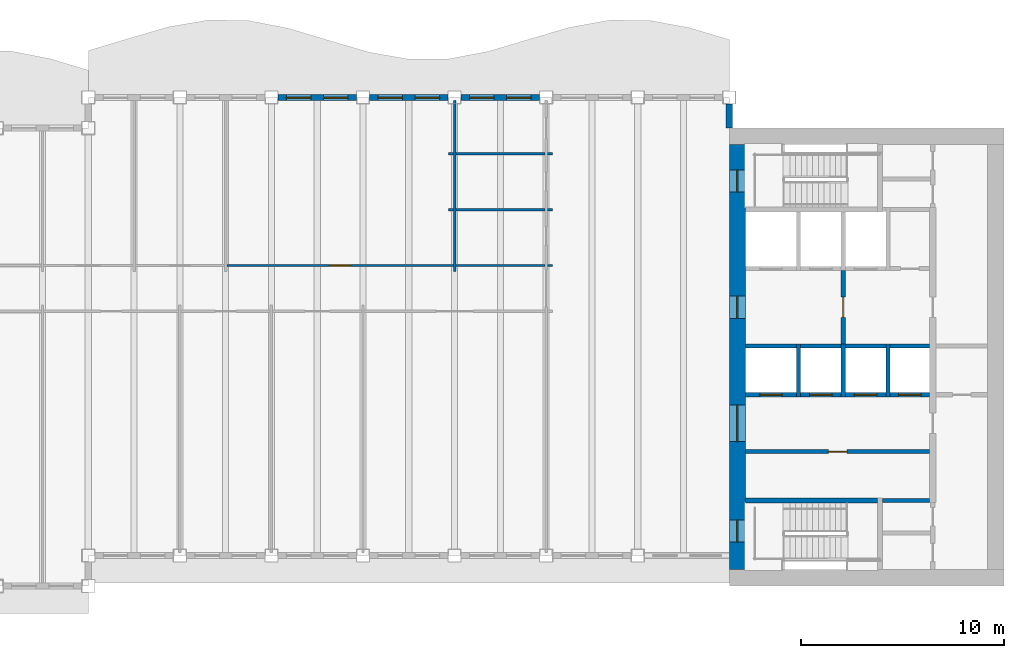
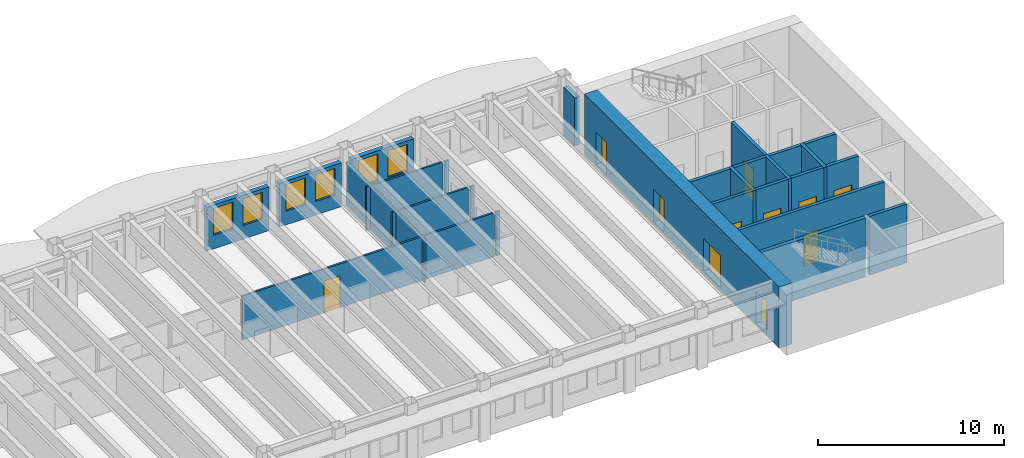
# One storey, part 5 of 12: 30 walls, 11 doors, 6 windows, 17 openings.
"""IFC4 building model written with IfcOpenShell, lengths in metres."""

from ifc_helpers import new_model, si_unit, direction, frame, frame_2d, origin, place, context, subcontext, project, spatial, rectangle, extrude, material, layer, layer_set, type_object, element, fill, save


model = new_model("IFC4")

# Units and contexts
model_context = context("Model", 3, precision=1e-05, world=origin(), true_north=direction((0.0, 1.0)))
body_context = subcontext(model_context, "Body", "Model", "MODEL_VIEW")
ifc_project = project(units=[si_unit("LENGTHUNIT", "METRE"), si_unit("AREAUNIT", "SQUARE_METRE"), si_unit("VOLUMEUNIT", "CUBIC_METRE"), si_unit("PLANEANGLEUNIT", "RADIAN"), si_unit("MASSUNIT", "GRAM", prefix="KILO")], contexts=[model_context])

# Site, building, storey
site_placement = place(None, origin())
site = spatial("IfcSite", under=ifc_project, at=site_placement, CompositionType="ELEMENT")
building_placement = place(site_placement, origin())
building = spatial("IfcBuilding", under=site, at=building_placement, Name="Sennacour Bend Tower", CompositionType="ELEMENT")
storey_placement = place(building_placement, frame((0.0, 0.0, 281.0)))
storey = spatial("IfcBuildingStorey", under=building, at=storey_placement, Name="L65", CompositionType="ELEMENT", Elevation=281.0)

# Wall, openings, doors
ifc_material_1 = material(Name="Concrete C50/60", Category="concrete")
ifc_layer_1 = layer(ifc_material_1, 0.800048828125, Name="Concrete C50/60", Category="concrete")
ifc_layer_set_1 = layer_set([ifc_layer_1], Name="Concrete C50/60")
wall_type_1 = type_object("IfcWallType", Name="Core wall 800 C50/60", PredefinedType="SHEAR", material=ifc_layer_set_1)
wall_1_placement = place(storey_placement, frame((54.39990234375, 0.800048828125, -0.14990234375), z_axis=(0.0, 0.0, 1.0), x_axis=(0.0, 1.0, 0.0)))
wall_1 = element("IfcWall", 1, at=wall_1_placement, inside=storey, type_object=wall_type_1, Name="Core A wall L65 W", PredefinedType="SHEAR", context=body_context, shape_type="SweptSolid", body=[
    extrude(rectangle(XDim=20.89990234375, YDim=0.800048828125, at=frame_2d((10.449951171875, 0.0))), origin(), (0.0, 0.0, 1.0), 4.0),
])
opening_1_placement = place(wall_1_placement, frame((6.300048828125, 0.0, 0.14990234375)))
opening_1 = element("IfcOpeningElement", 2, at=opening_1_placement, cuts=wall_1, Name="Opening CD", PredefinedType="OPENING", context=body_context, shape_type="SweptSolid", body=[
    extrude(rectangle(XDim=1.800048828125, YDim=2.10009765625, at=frame_2d((0.89990234375, 1.050048828125))), frame((0.0, 0.41015625, 0.0), z_axis=(0.0, -1.0, 0.0), x_axis=(1.0, 0.0, 0.0)), (0.0, 0.0, 1.0), 0.820068359375),
])
opening_2_placement = place(wall_1_placement, frame((12.35009765625, 0.0, 0.14990234375)))
opening_2 = element("IfcOpeningElement", 3, at=opening_2_placement, cuts=wall_1, Name="Opening FD", PredefinedType="OPENING", context=body_context, shape_type="SweptSolid", body=[
    extrude(rectangle(XDim=1.10009765625, YDim=2.10009765625, at=frame_2d((0.550048828125, 1.050048828125))), frame((0.0, 0.41015625, 0.0), z_axis=(0.0, -1.0, 0.0), x_axis=(1.0, 0.0, 0.0)), (0.0, 0.0, 1.0), 0.820068359375),
])
opening_3_placement = place(wall_1_placement, frame((1.35009765625, 0.0, 0.14990234375)))
opening_3 = element("IfcOpeningElement", 4, at=opening_3_placement, cuts=wall_1, Name="Opening SD", PredefinedType="OPENING", context=body_context, shape_type="SweptSolid", body=[
    extrude(rectangle(XDim=1.10009765625, YDim=2.10009765625, at=frame_2d((0.550048828125, 1.050048828125))), frame((0.0, 0.41015625, 0.0), z_axis=(0.0, -1.0, 0.0), x_axis=(1.0, 0.0, 0.0)), (0.0, 0.0, 1.0), 0.820068359375),
])
opening_4_placement = place(wall_1_placement, frame((18.550048828125, 0.0, 0.14990234375)))
opening_4 = element("IfcOpeningElement", 5, at=opening_4_placement, cuts=wall_1, Name="Opening SD", PredefinedType="OPENING", context=body_context, shape_type="SweptSolid", body=[
    extrude(rectangle(XDim=1.10009765625, YDim=2.10009765625, at=frame_2d((0.550048828125, 1.050048828125))), frame((0.0, 0.41015625, 0.0), z_axis=(0.0, -1.0, 0.0), x_axis=(1.0, 0.0, 0.0)), (0.0, 0.0, 1.0), 0.820068359375),
])
ifc_material_2 = material(Name="Painted steel", Category="steel")
door_type_1 = type_object("IfcDoorType", Name="DR-FFL-1100", OperationType="NOTDEFINED", PredefinedType="DOOR", material=ifc_material_2)
door_1_placement = place(opening_2_placement, origin())
door_1 = element("IfcDoor", 6, at=door_1_placement, inside=storey, type_object=door_type_1, Name="Door", OperationType="SINGLE_SWING_RIGHT", OverallHeight=2.10009765625, OverallWidth=1.10009765625, PredefinedType="DOOR", context=body_context, shape_type="SweptSolid", body=[
    extrude(rectangle(XDim=1.10009765625, YDim=2.10009765625, at=frame_2d((0.550048828125, 1.050048828125))), frame((0.0, 0.02490234375, 0.0), z_axis=(0.0, -1.0, 0.0), x_axis=(1.0, 0.0, 0.0)), (0.0, 0.0, 1.0), 0.050048828125),
])
fill(opening_2, door_1)
door_type_2 = type_object("IfcDoorType", Name="DR-LOBBY-1800", OperationType="NOTDEFINED", PredefinedType="DOOR", material=ifc_material_2)
door_2_placement = place(opening_1_placement, origin())
door_2 = element("IfcDoor", 7, at=door_2_placement, inside=storey, type_object=door_type_2, Name="Door", OperationType="DOUBLE_DOOR_SINGLE_SWING", OverallHeight=2.10009765625, OverallWidth=1.800048828125, PredefinedType="DOOR", context=body_context, shape_type="SweptSolid", body=[
    extrude(rectangle(XDim=1.800048828125, YDim=2.10009765625, at=frame_2d((0.89990234375, 1.050048828125))), frame((0.0, 0.02490234375, 0.0), z_axis=(0.0, -1.0, 0.0), x_axis=(1.0, 0.0, 0.0)), (0.0, 0.0, 1.0), 0.050048828125),
])
fill(opening_1, door_2)
door_type_3 = type_object("IfcDoorType", Name="DR-STAIR-1100", OperationType="NOTDEFINED", PredefinedType="DOOR", material=ifc_material_2)
door_3_placement = place(opening_3_placement, origin())
door_3 = element("IfcDoor", 8, at=door_3_placement, inside=storey, type_object=door_type_3, Name="Door", OperationType="SINGLE_SWING_LEFT", OverallHeight=2.10009765625, OverallWidth=1.10009765625, PredefinedType="DOOR", context=body_context, shape_type="SweptSolid", body=[
    extrude(rectangle(XDim=1.10009765625, YDim=2.10009765625, at=frame_2d((0.550048828125, 1.050048828125))), frame((0.0, 0.02490234375, 0.0), z_axis=(0.0, -1.0, 0.0), x_axis=(1.0, 0.0, 0.0)), (0.0, 0.0, 1.0), 0.050048828125),
])
fill(opening_3, door_3)
door_4_placement = place(opening_4_placement, origin())
door_4 = element("IfcDoor", 9, at=door_4_placement, inside=storey, type_object=door_type_3, Name="Door", OperationType="SINGLE_SWING_RIGHT", OverallHeight=2.10009765625, OverallWidth=1.10009765625, PredefinedType="DOOR", context=body_context, shape_type="SweptSolid", body=[
    extrude(rectangle(XDim=1.10009765625, YDim=2.10009765625, at=frame_2d((0.550048828125, 1.050048828125))), frame((0.0, 0.02490234375, 0.0), z_axis=(0.0, -1.0, 0.0), x_axis=(1.0, 0.0, 0.0)), (0.0, 0.0, 1.0), 0.050048828125),
])
fill(opening_4, door_4)

# Wall
ifc_material_3 = material(Name="Plasterboard partition on steel studs", Category="steel")
ifc_layer_2 = layer(ifc_material_3, 0.1201171875, Name="Plasterboard partition on steel studs", Category="steel")
ifc_layer_set_2 = layer_set([ifc_layer_2], Name="Plasterboard partition on steel studs")
wall_type_2 = type_object("IfcWallType", Name="Partition 120", PredefinedType="PARTITIONING", material=ifc_layer_set_2)
wall_2_placement = place(storey_placement, frame((40.5, 15.449951171875, 0.0), z_axis=(0.0, 0.0, 1.0), x_axis=(0.0, 1.0, 0.0)))
element("IfcWall", 10, at=wall_2_placement, inside=storey, type_object=wall_type_2, Name="P-L65-W014a", PredefinedType="PARTITIONING", context=body_context, shape_type="SweptSolid", body=[
    extrude(rectangle(XDim=8.400146484375, YDim=0.1201171875, at=frame_2d((4.2001953125, 0.0))), origin(), (0.0, 0.0, 1.0), 2.8701171875),
])

# Wall, opening, door
wall_3_placement = place(storey_placement, frame((29.31005859375, 15.75, 0.0), z_axis=(0.0, 0.0, 1.0), x_axis=(1.0, 0.0, 0.0)))
wall_3 = element("IfcWall", 11, at=wall_3_placement, inside=storey, type_object=wall_type_2, Name="P-L65-W046af", PredefinedType="PARTITIONING", context=body_context, shape_type="SweptSolid", body=[
    extrude(rectangle(XDim=11.1298828125, YDim=0.1201171875, at=frame_2d((5.56494140625, 0.0))), origin(), (0.0, 0.0, 1.0), 2.8701171875),
])
opening_5_placement = place(wall_3_placement, frame((5.06494140625, 0.0, 0.0)))
opening_5 = element("IfcOpeningElement", 12, at=opening_5_placement, cuts=wall_3, Name="Opening OD2", PredefinedType="OPENING", context=body_context, shape_type="SweptSolid", body=[
    extrude(rectangle(XDim=1.0, YDim=2.10009765625, at=frame_2d((0.5, 1.050048828125))), frame((0.0, 0.070068359375, 0.0), z_axis=(0.0, -1.0, 0.0), x_axis=(1.0, 0.0, 0.0)), (0.0, 0.0, 1.0), 0.14013671875),
])
ifc_material_4 = material(Name="Timber", Category="wood")
door_type_4 = type_object("IfcDoorType", Name="DR-OFFICE-1000", OperationType="NOTDEFINED", PredefinedType="DOOR", material=ifc_material_4)
door_5_placement = place(opening_5_placement, origin())
door_5 = element("IfcDoor", 13, at=door_5_placement, inside=storey, type_object=door_type_4, Name="Door", OperationType="SINGLE_SWING_LEFT", OverallHeight=2.10009765625, OverallWidth=1.0, PredefinedType="DOOR", context=body_context, shape_type="SweptSolid", body=[
    extrude(rectangle(XDim=1.0, YDim=2.10009765625, at=frame_2d((0.5, 1.050048828125))), frame((0.0, 0.02490234375, 0.0), z_axis=(0.0, -1.0, 0.0), x_axis=(1.0, 0.0, 0.0)), (0.0, 0.0, 1.0), 0.050048828125),
])
fill(opening_5, door_5)

# Walls
wall_4_placement = place(storey_placement, frame((40.56005859375, 15.75, 0.0), z_axis=(0.0, 0.0, 1.0), x_axis=(1.0, 0.0, 0.0)))
element("IfcWall", 14, at=wall_4_placement, inside=storey, type_object=wall_type_2, Name="P-L65-W046ag", PredefinedType="PARTITIONING", context=body_context, shape_type="SweptSolid", body=[
    extrude(rectangle(XDim=4.3798828125, YDim=0.1201171875, at=frame_2d((2.18994140625, 0.0))), origin(), (0.0, 0.0, 1.0), 2.8701171875),
])
for number, where, z_axis, x_axis, name in (
    (15, (45.06005859375, 15.75, 0.0), (0.0, 0.0, 1.0), (1.0, 0.0, 0.0), "P-L65-W046ah"),
    (16, (40.199951171875, 18.5, 0.0), (0.0, 0.0, 1.0), (1.0, 0.0, 0.0), "P-L65-W047aa"),
):
    element("IfcWall", number, at=place(storey_placement, frame(where, z_axis=z_axis, x_axis=x_axis)), inside=storey, type_object=wall_type_2, Name=name, PredefinedType="PARTITIONING", context=body_context, shape_type="SweptSolid", body=[
        extrude(rectangle(XDim=0.239990234375, YDim=0.1201171875, at=frame_2d((0.1201171875, 0.0))), origin(), (0.0, 0.0, 1.0), 2.8701171875),
    ])
wall_5_placement = place(storey_placement, frame((40.56005859375, 18.5, 0.0), z_axis=(0.0, 0.0, 1.0), x_axis=(1.0, 0.0, 0.0)))
element("IfcWall", 17, at=wall_5_placement, inside=storey, type_object=wall_type_2, Name="P-L65-W047ab", PredefinedType="PARTITIONING", context=body_context, shape_type="SweptSolid", body=[
    extrude(rectangle(XDim=4.3798828125, YDim=0.1201171875, at=frame_2d((2.18994140625, 0.0))), origin(), (0.0, 0.0, 1.0), 2.8701171875),
])
for number, where, z_axis, x_axis, name in (
    (18, (45.06005859375, 18.5, 0.0), (0.0, 0.0, 1.0), (1.0, 0.0, 0.0), "P-L65-W047ac"),
    (19, (40.199951171875, 21.25, 0.0), (0.0, 0.0, 1.0), (1.0, 0.0, 0.0), "P-L65-W052aa"),
):
    element("IfcWall", number, at=place(storey_placement, frame(where, z_axis=z_axis, x_axis=x_axis)), inside=storey, type_object=wall_type_2, Name=name, PredefinedType="PARTITIONING", context=body_context, shape_type="SweptSolid", body=[
        extrude(rectangle(XDim=0.239990234375, YDim=0.1201171875, at=frame_2d((0.1201171875, 0.0))), origin(), (0.0, 0.0, 1.0), 2.8701171875),
    ])
wall_6_placement = place(storey_placement, frame((40.56005859375, 21.25, 0.0), z_axis=(0.0, 0.0, 1.0), x_axis=(1.0, 0.0, 0.0)))
element("IfcWall", 20, at=wall_6_placement, inside=storey, type_object=wall_type_2, Name="P-L65-W052ab", PredefinedType="PARTITIONING", context=body_context, shape_type="SweptSolid", body=[
    extrude(rectangle(XDim=4.3798828125, YDim=0.1201171875, at=frame_2d((2.18994140625, 0.0))), origin(), (0.0, 0.0, 1.0), 2.8701171875),
])
wall_7_placement = place(storey_placement, frame((45.06005859375, 21.25, 0.0), z_axis=(0.0, 0.0, 1.0), x_axis=(1.0, 0.0, 0.0)))
element("IfcWall", 21, at=wall_7_placement, inside=storey, type_object=wall_type_2, Name="P-L65-W052ac", PredefinedType="PARTITIONING", context=body_context, shape_type="SweptSolid", body=[
    extrude(rectangle(XDim=0.239990234375, YDim=0.1201171875, at=frame_2d((0.1201171875, 0.0))), origin(), (0.0, 0.0, 1.0), 2.8701171875),
])
ifc_material_5 = material(Name="Fire-rated plasterboard partition on steel studs", Category="steel")
ifc_layer_3 = layer(ifc_material_5, 0.199951171875, Name="Fire-rated plasterboard partition on steel studs", Category="steel")
ifc_layer_set_3 = layer_set([ifc_layer_3], Name="Fire-rated plasterboard partition on steel studs")
wall_type_3 = type_object("IfcWallType", Name="Rated partition 200", PredefinedType="PARTITIONING", material=ifc_layer_set_3)
wall_8_placement = place(storey_placement, frame((61.52490234375, 4.199951171875, 0.0), z_axis=(0.0, 0.0, 1.0), x_axis=(1.0, 0.0, 0.0)))
element("IfcWall", 22, at=wall_8_placement, inside=storey, type_object=wall_type_3, Name="P-L65-W037", PredefinedType="PARTITIONING", context=body_context, shape_type="SweptSolid", body=[
    extrude(rectangle(XDim=2.3251953125, YDim=0.199951171875, at=frame_2d((1.16259765625, 0.0))), origin(), (0.0, 0.0, 1.0), 3.85009765625),
])

# Wall, opening, door
wall_9_placement = place(storey_placement, frame((54.800048828125, 6.60009765625, 0.0), z_axis=(0.0, 0.0, 1.0), x_axis=(1.0, 0.0, 0.0)))
wall_9 = element("IfcWall", 23, at=wall_9_placement, inside=storey, type_object=wall_type_3, Name="P-L65-W038", PredefinedType="PARTITIONING", context=body_context, shape_type="SweptSolid", body=[
    extrude(rectangle(XDim=9.050048828125, YDim=0.199951171875, at=frame_2d((4.52490234375, 0.0))), origin(), (0.0, 0.0, 1.0), 3.85009765625),
])
opening_6_placement = place(wall_9_placement, frame((4.074951171875, 0.0, 0.0)))
opening_6 = element("IfcOpeningElement", 24, at=opening_6_placement, cuts=wall_9, Name="Opening SV", PredefinedType="OPENING", context=body_context, shape_type="SweptSolid", body=[
    extrude(rectangle(XDim=0.89990234375, YDim=2.10009765625, at=frame_2d((0.449951171875, 1.050048828125))), frame((0.0, 0.10986328125, 0.0), z_axis=(0.0, -1.0, 0.0), x_axis=(1.0, 0.0, 0.0)), (0.0, 0.0, 1.0), 0.219970703125),
])
door_type_5 = type_object("IfcDoorType", Name="DR-SERVICE-900", OperationType="NOTDEFINED", PredefinedType="DOOR", material=ifc_material_2)
door_6_placement = place(opening_6_placement, origin())
door_6 = element("IfcDoor", 25, at=door_6_placement, inside=storey, type_object=door_type_5, Name="Door", OperationType="SINGLE_SWING_LEFT", OverallHeight=2.10009765625, OverallWidth=0.89990234375, PredefinedType="DOOR", context=body_context, shape_type="SweptSolid", body=[
    extrude(rectangle(XDim=0.89990234375, YDim=2.10009765625, at=frame_2d((0.449951171875, 1.050048828125))), frame((0.0, 0.02490234375, 0.0), z_axis=(0.0, -1.0, 0.0), x_axis=(1.0, 0.0, 0.0)), (0.0, 0.0, 1.0), 0.050048828125),
])
fill(opening_6, door_6)

ifc_layer_4 = layer(ifc_material_5, 0.199951171875, Name="Fire-rated plasterboard partition on steel studs", Category="steel")
ifc_layer_set_4 = layer_set([ifc_layer_4], Name="Fire-rated plasterboard partition on steel studs")
wall_type_4 = type_object("IfcWallType", Name="Rated partition 200 EI 90", PredefinedType="PARTITIONING", material=ifc_layer_set_4)
wall_10_placement = place(storey_placement, frame((59.60009765625, 11.89990234375, 0.0), z_axis=(0.0, 0.0, 1.0), x_axis=(0.0, 1.0, 0.0)))
wall_10 = element("IfcWall", 26, at=wall_10_placement, inside=storey, type_object=wall_type_4, Name="P-L65-W020", PredefinedType="PARTITIONING", context=body_context, shape_type="SweptSolid", body=[
    extrude(rectangle(XDim=3.60009765625, YDim=0.199951171875, at=frame_2d((1.800048828125, 0.0))), origin(), (0.0, 0.0, 1.0), 3.85009765625),
])
opening_7_placement = place(wall_10_placement, frame((1.300048828125, 0.0, 0.0)))
opening_7 = element("IfcOpeningElement", 27, at=opening_7_placement, cuts=wall_10, Name="Opening FD2", PredefinedType="OPENING", context=body_context, shape_type="SweptSolid", body=[
    extrude(rectangle(XDim=1.0, YDim=2.10009765625, at=frame_2d((0.5, 1.050048828125))), frame((0.0, 0.10986328125, 0.0), z_axis=(0.0, -1.0, 0.0), x_axis=(1.0, 0.0, 0.0)), (0.0, 0.0, 1.0), 0.219970703125),
])
door_type_6 = type_object("IfcDoorType", Name="DR-FFL-1000", OperationType="NOTDEFINED", PredefinedType="DOOR", material=ifc_material_2)
door_7_placement = place(opening_7_placement, origin())
door_7 = element("IfcDoor", 28, at=door_7_placement, inside=storey, type_object=door_type_6, Name="Door", OperationType="SINGLE_SWING_LEFT", OverallHeight=2.10009765625, OverallWidth=1.0, PredefinedType="DOOR", context=body_context, shape_type="SweptSolid", body=[
    extrude(rectangle(XDim=1.0, YDim=2.10009765625, at=frame_2d((0.5, 1.050048828125))), frame((0.0, 0.02490234375, 0.0), z_axis=(0.0, -1.0, 0.0), x_axis=(1.0, 0.0, 0.0)), (0.0, 0.0, 1.0), 0.050048828125),
])
fill(opening_7, door_7)

# Wall
ifc_material_6 = material(Name="Warm limestone cladding", Category="masonry")
ifc_layer_5 = layer(ifc_material_6, 0.050048828125, Name="Warm limestone cladding", Category="masonry")
ifc_material_7 = material(Name="Precast concrete C40/50", Category="concrete")
ifc_layer_6 = layer(ifc_material_7, 0.25, Name="Precast concrete C40/50", Category="concrete")
ifc_layer_set_5 = layer_set([ifc_layer_5, ifc_layer_6], Name="Precast concrete C40/50 with limestone cladding")
wall_type_5 = type_object("IfcWallType", Name="STONE-CLAD PRECAST SPANDREL 300", PredefinedType="STANDARD", material=ifc_layer_set_5)
wall_11_placement = place(storey_placement, frame((54.0, 22.5, 0.0), z_axis=(0.0, 0.0, 1.0), x_axis=(0.0, 1.0, 0.0)))
element("IfcWall", 29, at=wall_11_placement, inside=storey, type_object=wall_type_5, Name="Stone spandrel and pier wall L65 06.00", PredefinedType="STANDARD", context=body_context, shape_type="SweptSolid", body=[
    extrude(rectangle(XDim=1.175048828125, YDim=0.300048828125, at=frame_2d((0.58740234375, 0.0))), origin(), (0.0, 0.0, 1.0), 3.162109375),
])

# Wall, openings, windows
wall_12_placement = place(storey_placement, frame((44.675048828125, 24.0, 0.0), z_axis=(0.0, 0.0, 1.0), x_axis=(-1.0, 0.0, 0.0)))
wall_12 = element("IfcWall", 30, at=wall_12_placement, inside=storey, type_object=wall_type_5, Name="Stone spandrel and pier wall L65 07.02", PredefinedType="STANDARD", context=body_context, shape_type="SweptSolid", body=[
    extrude(rectangle(XDim=3.85009765625, YDim=0.300048828125, at=frame_2d((1.925048828125, 0.0))), origin(), (0.0, 0.0, 1.0), 2.8701171875),
])
opening_8_placement = place(wall_12_placement, frame((0.41259765625, 0.0, 0.89990234375)))
opening_8 = element("IfcOpeningElement", 31, at=opening_8_placement, cuts=wall_12, Name="Opening W16", PredefinedType="OPENING", context=body_context, shape_type="SweptSolid", body=[
    extrude(rectangle(XDim=1.199951171875, YDim=1.75, at=frame_2d((0.60009765625, 0.875))), frame((0.0, 0.16015625, 0.0), z_axis=(0.0, -1.0, 0.0), x_axis=(1.0, 0.0, 0.0)), (0.0, 0.0, 1.0), 0.320068359375),
])
opening_9_placement = place(wall_12_placement, frame((2.237548828125, 0.0, 0.89990234375)))
opening_9 = element("IfcOpeningElement", 32, at=opening_9_placement, cuts=wall_12, Name="Opening W16", PredefinedType="OPENING", context=body_context, shape_type="SweptSolid", body=[
    extrude(rectangle(XDim=1.199951171875, YDim=1.75, at=frame_2d((0.60009765625, 0.875))), frame((0.0, 0.16015625, 0.0), z_axis=(0.0, -1.0, 0.0), x_axis=(1.0, 0.0, 0.0)), (0.0, 0.0, 1.0), 0.320068359375),
])
ifc_material_8 = material(Name="Clear low-emissivity glass", Category="glass")
window_type = type_object("IfcWindowType", Name="WIN-RIBBON-1200x1750", PartitioningType="SINGLE_PANEL", PredefinedType="WINDOW", material=ifc_material_8)
window_1_placement = place(opening_8_placement, origin())
window_1 = element("IfcWindow", 33, at=window_1_placement, inside=storey, type_object=window_type, Name="Ribbon window L65 07.02.0", OverallHeight=1.75, OverallWidth=1.199951171875, PartitioningType="SINGLE_PANEL", PredefinedType="WINDOW", context=body_context, shape_type="SweptSolid", body=[
    extrude(rectangle(XDim=1.199951171875, YDim=1.75, at=frame_2d((0.60009765625, 0.875))), frame((0.0, 0.030029296875, 0.0), z_axis=(0.0, -1.0, 0.0), x_axis=(1.0, 0.0, 0.0)), (0.0, 0.0, 1.0), 0.06005859375),
])
fill(opening_8, window_1)
window_2_placement = place(opening_9_placement, origin())
window_2 = element("IfcWindow", 34, at=window_2_placement, inside=storey, type_object=window_type, Name="Ribbon window L65 07.02.1", OverallHeight=1.75, OverallWidth=1.199951171875, PartitioningType="SINGLE_PANEL", PredefinedType="WINDOW", context=body_context, shape_type="SweptSolid", body=[
    extrude(rectangle(XDim=1.199951171875, YDim=1.75, at=frame_2d((0.60009765625, 0.875))), frame((0.0, 0.030029296875, 0.0), z_axis=(0.0, -1.0, 0.0), x_axis=(1.0, 0.0, 0.0)), (0.0, 0.0, 1.0), 0.06005859375),
])
fill(opening_9, window_2)

wall_13_placement = place(storey_placement, frame((40.175048828125, 24.0, 0.0), z_axis=(0.0, 0.0, 1.0), x_axis=(-1.0, 0.0, 0.0)))
wall_13 = element("IfcWall", 35, at=wall_13_placement, inside=storey, type_object=wall_type_5, Name="Stone spandrel and pier wall L65 07.03", PredefinedType="STANDARD", context=body_context, shape_type="SweptSolid", body=[
    extrude(rectangle(XDim=3.85009765625, YDim=0.300048828125, at=frame_2d((1.925048828125, 0.0))), origin(), (0.0, 0.0, 1.0), 2.8701171875),
])
opening_10_placement = place(wall_13_placement, frame((0.41259765625, 0.0, 0.89990234375)))
opening_10 = element("IfcOpeningElement", 36, at=opening_10_placement, cuts=wall_13, Name="Opening W16", PredefinedType="OPENING", context=body_context, shape_type="SweptSolid", body=[
    extrude(rectangle(XDim=1.199951171875, YDim=1.75, at=frame_2d((0.60009765625, 0.875))), frame((0.0, 0.16015625, 0.0), z_axis=(0.0, -1.0, 0.0), x_axis=(1.0, 0.0, 0.0)), (0.0, 0.0, 1.0), 0.320068359375),
])
opening_11_placement = place(wall_13_placement, frame((2.237548828125, 0.0, 0.89990234375)))
opening_11 = element("IfcOpeningElement", 37, at=opening_11_placement, cuts=wall_13, Name="Opening W16", PredefinedType="OPENING", context=body_context, shape_type="SweptSolid", body=[
    extrude(rectangle(XDim=1.199951171875, YDim=1.75, at=frame_2d((0.60009765625, 0.875))), frame((0.0, 0.16015625, 0.0), z_axis=(0.0, -1.0, 0.0), x_axis=(1.0, 0.0, 0.0)), (0.0, 0.0, 1.0), 0.320068359375),
])
window_3_placement = place(opening_10_placement, origin())
window_3 = element("IfcWindow", 38, at=window_3_placement, inside=storey, type_object=window_type, Name="Ribbon window L65 07.03.0", OverallHeight=1.75, OverallWidth=1.199951171875, PartitioningType="SINGLE_PANEL", PredefinedType="WINDOW", context=body_context, shape_type="SweptSolid", body=[
    extrude(rectangle(XDim=1.199951171875, YDim=1.75, at=frame_2d((0.60009765625, 0.875))), frame((0.0, 0.030029296875, 0.0), z_axis=(0.0, -1.0, 0.0), x_axis=(1.0, 0.0, 0.0)), (0.0, 0.0, 1.0), 0.06005859375),
])
fill(opening_10, window_3)
window_4_placement = place(opening_11_placement, origin())
window_4 = element("IfcWindow", 39, at=window_4_placement, inside=storey, type_object=window_type, Name="Ribbon window L65 07.03.1", OverallHeight=1.75, OverallWidth=1.199951171875, PartitioningType="SINGLE_PANEL", PredefinedType="WINDOW", context=body_context, shape_type="SweptSolid", body=[
    extrude(rectangle(XDim=1.199951171875, YDim=1.75, at=frame_2d((0.60009765625, 0.875))), frame((0.0, 0.030029296875, 0.0), z_axis=(0.0, -1.0, 0.0), x_axis=(1.0, 0.0, 0.0)), (0.0, 0.0, 1.0), 0.06005859375),
])
fill(opening_11, window_4)

wall_14_placement = place(storey_placement, frame((35.675048828125, 24.0, 0.0), z_axis=(0.0, 0.0, 1.0), x_axis=(-1.0, 0.0, 0.0)))
wall_14 = element("IfcWall", 40, at=wall_14_placement, inside=storey, type_object=wall_type_5, Name="Stone spandrel and pier wall L65 07.04", PredefinedType="STANDARD", context=body_context, shape_type="SweptSolid", body=[
    extrude(rectangle(XDim=3.85009765625, YDim=0.300048828125, at=frame_2d((1.925048828125, 0.0))), origin(), (0.0, 0.0, 1.0), 2.8701171875),
])
opening_12_placement = place(wall_14_placement, frame((0.41259765625, 0.0, 0.89990234375)))
opening_12 = element("IfcOpeningElement", 41, at=opening_12_placement, cuts=wall_14, Name="Opening W16", PredefinedType="OPENING", context=body_context, shape_type="SweptSolid", body=[
    extrude(rectangle(XDim=1.199951171875, YDim=1.75, at=frame_2d((0.60009765625, 0.875))), frame((0.0, 0.16015625, 0.0), z_axis=(0.0, -1.0, 0.0), x_axis=(1.0, 0.0, 0.0)), (0.0, 0.0, 1.0), 0.320068359375),
])
opening_13_placement = place(wall_14_placement, frame((2.237548828125, 0.0, 0.89990234375)))
opening_13 = element("IfcOpeningElement", 42, at=opening_13_placement, cuts=wall_14, Name="Opening W16", PredefinedType="OPENING", context=body_context, shape_type="SweptSolid", body=[
    extrude(rectangle(XDim=1.199951171875, YDim=1.75, at=frame_2d((0.60009765625, 0.875))), frame((0.0, 0.16015625, 0.0), z_axis=(0.0, -1.0, 0.0), x_axis=(1.0, 0.0, 0.0)), (0.0, 0.0, 1.0), 0.320068359375),
])
window_5_placement = place(opening_12_placement, origin())
window_5 = element("IfcWindow", 43, at=window_5_placement, inside=storey, type_object=window_type, Name="Ribbon window L65 07.04.0", OverallHeight=1.75, OverallWidth=1.199951171875, PartitioningType="SINGLE_PANEL", PredefinedType="WINDOW", context=body_context, shape_type="SweptSolid", body=[
    extrude(rectangle(XDim=1.199951171875, YDim=1.75, at=frame_2d((0.60009765625, 0.875))), frame((0.0, 0.030029296875, 0.0), z_axis=(0.0, -1.0, 0.0), x_axis=(1.0, 0.0, 0.0)), (0.0, 0.0, 1.0), 0.06005859375),
])
fill(opening_12, window_5)
window_6_placement = place(opening_13_placement, origin())
window_6 = element("IfcWindow", 44, at=window_6_placement, inside=storey, type_object=window_type, Name="Ribbon window L65 07.04.1", OverallHeight=1.75, OverallWidth=1.199951171875, PartitioningType="SINGLE_PANEL", PredefinedType="WINDOW", context=body_context, shape_type="SweptSolid", body=[
    extrude(rectangle(XDim=1.199951171875, YDim=1.75, at=frame_2d((0.60009765625, 0.875))), frame((0.0, 0.030029296875, 0.0), z_axis=(0.0, -1.0, 0.0), x_axis=(1.0, 0.0, 0.0)), (0.0, 0.0, 1.0), 0.06005859375),
])
fill(opening_13, window_6)

# Walls
ifc_layer_7 = layer(ifc_material_1, 0.199951171875, Name="Concrete C50/60", Category="concrete")
ifc_layer_set_6 = layer_set([ifc_layer_7], Name="Concrete C50/60")
wall_type_6 = type_object("IfcWallType", Name="Shaft wall 200", PredefinedType="SOLIDWALL", material=ifc_layer_set_6)
for number, where, z_axis, x_axis, name in (
    (45, (57.39990234375, 9.300048828125, 0.0), (0.0, 0.0, 1.0), (0.0, 1.0, 0.0), "P-L65-W017"),
    (46, (59.60009765625, 9.300048828125, 0.0), (0.0, 0.0, 1.0), (0.0, 1.0, 0.0), "P-L65-W019"),
    (47, (61.800048828125, 9.300048828125, 0.0), (0.0, 0.0, 1.0), (0.0, 1.0, 0.0), "P-L65-W024"),
):
    element("IfcWall", number, at=place(storey_placement, frame(where, z_axis=z_axis, x_axis=x_axis)), inside=storey, type_object=wall_type_6, Name=name, PredefinedType="SOLIDWALL", context=body_context, shape_type="SweptSolid", body=[
        extrude(rectangle(XDim=2.599853515625, YDim=0.199951171875, at=frame_2d((1.2998046875, 0.0))), origin(), (0.0, 0.0, 1.0), 3.85009765625),
    ])

# Wall, opening, door
wall_15_placement = place(storey_placement, frame((54.800048828125, 9.39990234375, 0.0), z_axis=(0.0, 0.0, 1.0), x_axis=(1.0, 0.0, 0.0)))
wall_15 = element("IfcWall", 48, at=wall_15_placement, inside=storey, type_object=wall_type_6, Name="P-L65-W039a", PredefinedType="SOLIDWALL", context=body_context, shape_type="SweptSolid", body=[
    extrude(rectangle(XDim=2.5, YDim=0.199951171875, at=frame_2d((1.25, 0.0))), origin(), (0.0, 0.0, 1.0), 3.85009765625),
])
opening_14_placement = place(wall_15_placement, frame((0.699951171875, 0.0, 0.011962890625)))
opening_14 = element("IfcOpeningElement", 49, at=opening_14_placement, cuts=wall_15, Name="Opening LD", PredefinedType="OPENING", context=body_context, shape_type="SweptSolid", body=[
    extrude(rectangle(XDim=1.10009765625, YDim=2.10009765625, at=frame_2d((0.550048828125, 1.050048828125))), frame((0.0, 0.10986328125, 0.0), z_axis=(0.0, -1.0, 0.0), x_axis=(1.0, 0.0, 0.0)), (0.0, 0.0, 1.0), 0.219970703125),
])
ifc_material_9 = material(Name="Stainless steel", Category="steel")
door_type_7 = type_object("IfcDoorType", Name="DR-LANDING-1100", OperationType="NOTDEFINED", PredefinedType="DOOR", material=ifc_material_9)
door_8_placement = place(opening_14_placement, origin())
door_8 = element("IfcDoor", 50, at=door_8_placement, inside=storey, type_object=door_type_7, Name="Lift landing door HA1", OperationType="SLIDING_TO_LEFT", OverallHeight=2.10009765625, OverallWidth=1.10009765625, PredefinedType="DOOR", context=body_context, shape_type="SweptSolid", body=[
    extrude(rectangle(XDim=1.10009765625, YDim=2.10009765625, at=frame_2d((0.550048828125, 1.050048828125))), frame((0.0, 0.02490234375, 0.0), z_axis=(0.0, -1.0, 0.0), x_axis=(1.0, 0.0, 0.0)), (0.0, 0.0, 1.0), 0.050048828125),
])
fill(opening_14, door_8)

wall_16_placement = place(storey_placement, frame((57.5, 9.39990234375, 0.0), z_axis=(0.0, 0.0, 1.0), x_axis=(1.0, 0.0, 0.0)))
wall_16 = element("IfcWall", 51, at=wall_16_placement, inside=storey, type_object=wall_type_6, Name="P-L65-W039b", PredefinedType="SOLIDWALL", context=body_context, shape_type="SweptSolid", body=[
    extrude(rectangle(XDim=2.0, YDim=0.199951171875, at=frame_2d((1.0, 0.0))), origin(), (0.0, 0.0, 1.0), 3.85009765625),
])
opening_15_placement = place(wall_16_placement, frame((0.449951171875, 0.0, 0.011962890625)))
opening_15 = element("IfcOpeningElement", 52, at=opening_15_placement, cuts=wall_16, Name="Opening LD", PredefinedType="OPENING", context=body_context, shape_type="SweptSolid", body=[
    extrude(rectangle(XDim=1.10009765625, YDim=2.10009765625, at=frame_2d((0.550048828125, 1.050048828125))), frame((0.0, 0.10986328125, 0.0), z_axis=(0.0, -1.0, 0.0), x_axis=(1.0, 0.0, 0.0)), (0.0, 0.0, 1.0), 0.219970703125),
])
door_9_placement = place(opening_15_placement, origin())
door_9 = element("IfcDoor", 53, at=door_9_placement, inside=storey, type_object=door_type_7, Name="Lift landing door HA2", OperationType="SLIDING_TO_RIGHT", OverallHeight=2.10009765625, OverallWidth=1.10009765625, PredefinedType="DOOR", context=body_context, shape_type="SweptSolid", body=[
    extrude(rectangle(XDim=1.10009765625, YDim=2.10009765625, at=frame_2d((0.550048828125, 1.050048828125))), frame((0.0, 0.02490234375, 0.0), z_axis=(0.0, -1.0, 0.0), x_axis=(1.0, 0.0, 0.0)), (0.0, 0.0, 1.0), 0.050048828125),
])
fill(opening_15, door_9)

wall_17_placement = place(storey_placement, frame((59.699951171875, 9.39990234375, 0.0), z_axis=(0.0, 0.0, 1.0), x_axis=(1.0, 0.0, 0.0)))
wall_17 = element("IfcWall", 54, at=wall_17_placement, inside=storey, type_object=wall_type_6, Name="P-L65-W039c", PredefinedType="SOLIDWALL", context=body_context, shape_type="SweptSolid", body=[
    extrude(rectangle(XDim=2.0, YDim=0.199951171875, at=frame_2d((1.0, 0.0))), origin(), (0.0, 0.0, 1.0), 3.85009765625),
])
opening_16_placement = place(wall_17_placement, frame((0.449951171875, 0.0, 0.011962890625)))
opening_16 = element("IfcOpeningElement", 55, at=opening_16_placement, cuts=wall_17, Name="Opening LD", PredefinedType="OPENING", context=body_context, shape_type="SweptSolid", body=[
    extrude(rectangle(XDim=1.10009765625, YDim=2.10009765625, at=frame_2d((0.550048828125, 1.050048828125))), frame((0.0, 0.10986328125, 0.0), z_axis=(0.0, -1.0, 0.0), x_axis=(1.0, 0.0, 0.0)), (0.0, 0.0, 1.0), 0.219970703125),
])
door_10_placement = place(opening_16_placement, origin())
door_10 = element("IfcDoor", 56, at=door_10_placement, inside=storey, type_object=door_type_7, Name="Lift landing door HA3", OperationType="SLIDING_TO_LEFT", OverallHeight=2.10009765625, OverallWidth=1.10009765625, PredefinedType="DOOR", context=body_context, shape_type="SweptSolid", body=[
    extrude(rectangle(XDim=1.10009765625, YDim=2.10009765625, at=frame_2d((0.550048828125, 1.050048828125))), frame((0.0, 0.02490234375, 0.0), z_axis=(0.0, -1.0, 0.0), x_axis=(1.0, 0.0, 0.0)), (0.0, 0.0, 1.0), 0.050048828125),
])
fill(opening_16, door_10)

wall_18_placement = place(storey_placement, frame((61.89990234375, 9.39990234375, 0.0), z_axis=(0.0, 0.0, 1.0), x_axis=(1.0, 0.0, 0.0)))
wall_18 = element("IfcWall", 57, at=wall_18_placement, inside=storey, type_object=wall_type_6, Name="P-L65-W039d", PredefinedType="SOLIDWALL", context=body_context, shape_type="SweptSolid", body=[
    extrude(rectangle(XDim=1.9501953125, YDim=0.199951171875, at=frame_2d((0.97509765625, 0.0))), origin(), (0.0, 0.0, 1.0), 3.85009765625),
])
opening_17_placement = place(wall_18_placement, frame((0.425048828125, 0.0, 0.011962890625)))
opening_17 = element("IfcOpeningElement", 58, at=opening_17_placement, cuts=wall_18, Name="Opening LD", PredefinedType="OPENING", context=body_context, shape_type="SweptSolid", body=[
    extrude(rectangle(XDim=1.10009765625, YDim=2.10009765625, at=frame_2d((0.550048828125, 1.050048828125))), frame((0.0, 0.10986328125, 0.0), z_axis=(0.0, -1.0, 0.0), x_axis=(1.0, 0.0, 0.0)), (0.0, 0.0, 1.0), 0.219970703125),
])
door_11_placement = place(opening_17_placement, origin())
door_11 = element("IfcDoor", 59, at=door_11_placement, inside=storey, type_object=door_type_7, Name="Lift landing door HA4", OperationType="SLIDING_TO_RIGHT", OverallHeight=2.10009765625, OverallWidth=1.10009765625, PredefinedType="DOOR", context=body_context, shape_type="SweptSolid", body=[
    extrude(rectangle(XDim=1.10009765625, YDim=2.10009765625, at=frame_2d((0.550048828125, 1.050048828125))), frame((0.0, 0.02490234375, 0.0), z_axis=(0.0, -1.0, 0.0), x_axis=(1.0, 0.0, 0.0)), (0.0, 0.0, 1.0), 0.050048828125),
])
fill(opening_17, door_11)

# Walls
wall_19_placement = place(storey_placement, frame((54.800048828125, 11.800048828125, 0.0), z_axis=(0.0, 0.0, 1.0), x_axis=(1.0, 0.0, 0.0)))
element("IfcWall", 60, at=wall_19_placement, inside=storey, type_object=wall_type_6, Name="P-L65-W041a", PredefinedType="SOLIDWALL", context=body_context, shape_type="SweptSolid", body=[
    extrude(rectangle(XDim=2.5, YDim=0.199951171875, at=frame_2d((1.25, 0.0))), origin(), (0.0, 0.0, 1.0), 3.85009765625),
])
for number, where, z_axis, x_axis, name in (
    (61, (57.5, 11.800048828125, 0.0), (0.0, 0.0, 1.0), (1.0, 0.0, 0.0), "P-L65-W041b"),
    (62, (59.699951171875, 11.800048828125, 0.0), (0.0, 0.0, 1.0), (1.0, 0.0, 0.0), "P-L65-W041c"),
):
    element("IfcWall", number, at=place(storey_placement, frame(where, z_axis=z_axis, x_axis=x_axis)), inside=storey, type_object=wall_type_6, Name=name, PredefinedType="SOLIDWALL", context=body_context, shape_type="SweptSolid", body=[
        extrude(rectangle(XDim=2.0, YDim=0.199951171875, at=frame_2d((1.0, 0.0))), origin(), (0.0, 0.0, 1.0), 3.85009765625),
    ])
wall_20_placement = place(storey_placement, frame((61.89990234375, 11.800048828125, 0.0), z_axis=(0.0, 0.0, 1.0), x_axis=(1.0, 0.0, 0.0)))
element("IfcWall", 63, at=wall_20_placement, inside=storey, type_object=wall_type_6, Name="P-L65-W041d", PredefinedType="SOLIDWALL", context=body_context, shape_type="SweptSolid", body=[
    extrude(rectangle(XDim=1.9501953125, YDim=0.199951171875, at=frame_2d((0.97509765625, 0.0))), origin(), (0.0, 0.0, 1.0), 3.85009765625),
])
ifc_material_10 = material(Name="Concrete C60/75", Category="concrete")
ifc_layer_8 = layer(ifc_material_10, 0.25, Name="Concrete C60/75", Category="concrete")
ifc_layer_set_7 = layer_set([ifc_layer_8], Name="Concrete C60/75")
wall_type_7 = type_object("IfcWallType", Name="Stair wall 250", PredefinedType="SHEAR", material=ifc_layer_set_7)
wall_21_placement = place(storey_placement, frame((54.800048828125, 4.199951171875, 0.0), z_axis=(0.0, 0.0, 1.0), x_axis=(1.0, 0.0, 0.0)))
element("IfcWall", 64, at=wall_21_placement, inside=storey, type_object=wall_type_7, Name="P-L65-W036", PredefinedType="SHEAR", context=body_context, shape_type="SweptSolid", body=[
    extrude(rectangle(XDim=6.474853515625, YDim=0.25, at=frame_2d((3.2373046875, 0.0))), origin(), (0.0, 0.0, 1.0), 3.85009765625),
])

save(model, "model.ifc")
